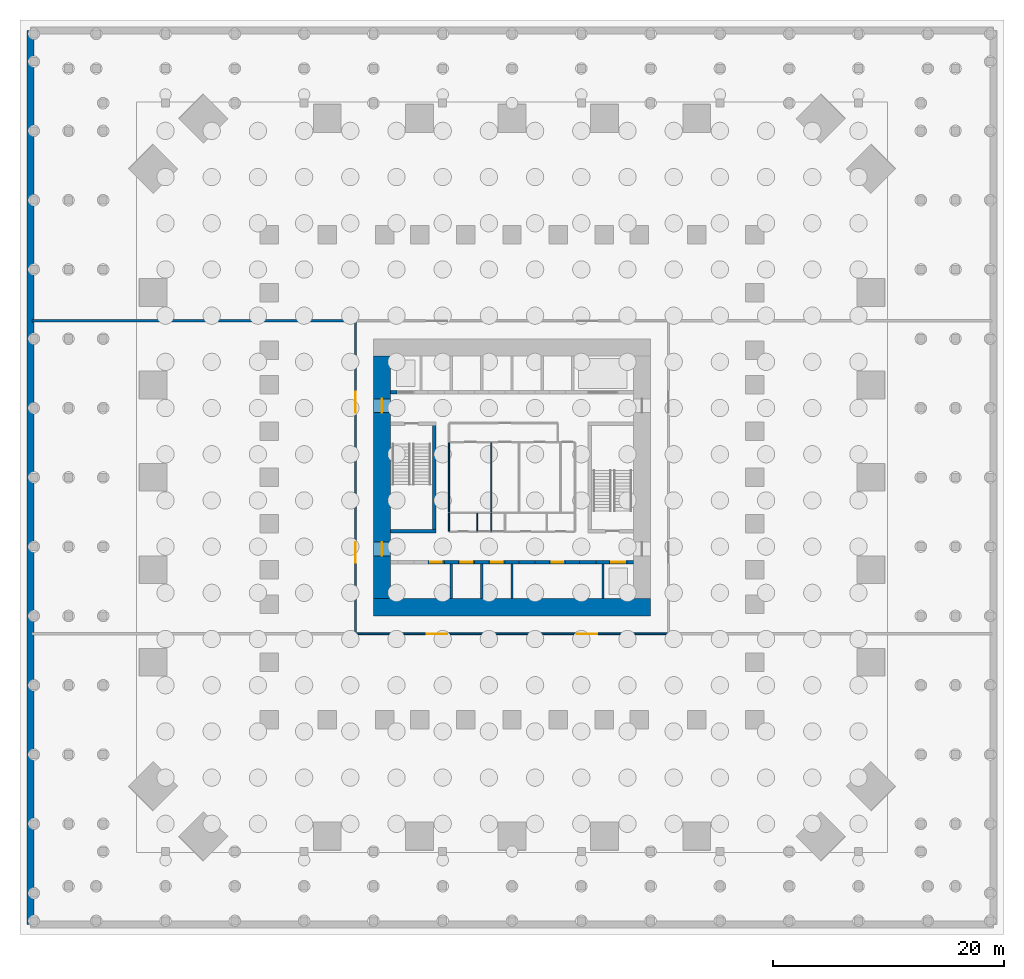
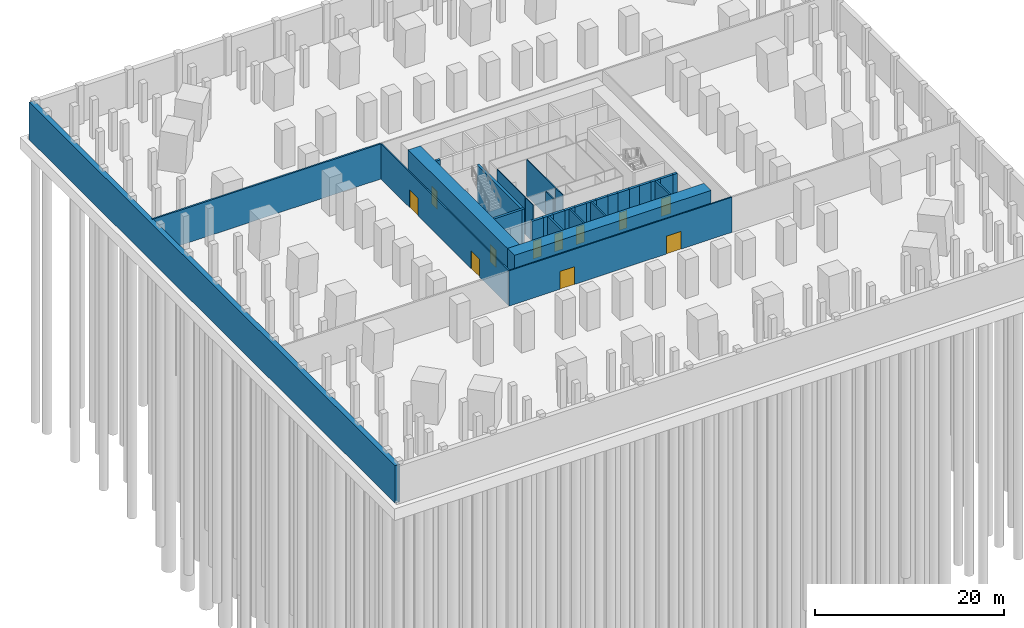
# One storey, part 4 of 8: 32 walls, 11 doors, 11 openings.
"""IFC4 building model written with IfcOpenShell, lengths in metres."""

from ifc_helpers import new_model, si_unit, direction, frame, frame_2d, origin, place, context, subcontext, project, spatial, rectangle, extrude, material, layer, layer_set, type_object, element, fill, save


model = new_model("IFC4")

# Units and contexts
model_context = context("Model", 3, precision=1e-05, world=origin(), true_north=direction((0.0, 1.0)))
body_context = subcontext(model_context, "Body", "Model", "MODEL_VIEW")
ifc_project = project(units=[si_unit("LENGTHUNIT", "METRE"), si_unit("AREAUNIT", "SQUARE_METRE"), si_unit("VOLUMEUNIT", "CUBIC_METRE"), si_unit("PLANEANGLEUNIT", "RADIAN"), si_unit("MASSUNIT", "GRAM", prefix="KILO")], contexts=[model_context])

# Site, building, storey
site_placement = place(None, origin())
site = spatial("IfcSite", under=ifc_project, at=site_placement, CompositionType="ELEMENT")
building_placement = place(site_placement, origin())
building = spatial("IfcBuilding", under=site, at=building_placement, Name="Peilmerk Tower", CompositionType="ELEMENT")
storey_placement = place(building_placement, frame((0.0, 0.0, -5.0)))
storey = spatial("IfcBuildingStorey", under=building, at=storey_placement, Name="B-01", CompositionType="ELEMENT", Elevation=-5.0)

# Wall, openings, doors
ifc_material_1 = material(Name="Calcium silicate block", Category="masonry")
ifc_layer_1 = layer(ifc_material_1, 0.14990234375)
ifc_layer_set_1 = layer_set([ifc_layer_1], Name="Calcium silicate block")
wall_type_1 = type_object("IfcWallType", Name="IW1 150 corridor partition, EI 60", PredefinedType="PARTITIONING", material=ifc_layer_set_1)
wall_1_placement = place(storey_placement, frame((13.625, -13.550048828125, 0.0), z_axis=(0.0, 0.0, 1.0), x_axis=(-1.0, 0.0, 0.0)))
wall_1 = element("IfcWall", 1, at=wall_1_placement, inside=storey, type_object=wall_type_1, Name="Corridor wall S B-01", PredefinedType="PARTITIONING", context=body_context, shape_type="SweptSolid", body=[
    extrude(rectangle(XDim=27.25, YDim=0.14990234375, at=frame_2d((13.625, 0.0))), origin(), (0.0, 0.0, 1.0), 4.550048828125),
])
opening_1_placement = place(wall_1_placement, frame((19.22509765625, 0.0, 0.0)))
opening_1 = element("IfcOpeningElement", 2, at=opening_1_placement, cuts=wall_1, Name="Opening D2", PredefinedType="OPENING", context=body_context, shape_type="SweptSolid", body=[
    extrude(rectangle(XDim=1.800048828125, YDim=2.300048828125, at=frame_2d((0.89990234375, 1.14990234375))), frame((0.0, 0.0849609375, 0.0), z_axis=(0.0, -1.0, 0.0), x_axis=(1.0, 0.0, 0.0)), (0.0, 0.0, 1.0), 0.169921875),
])
opening_2_placement = place(wall_1_placement, frame((6.22509765625, 0.0, 0.0)))
opening_2 = element("IfcOpeningElement", 3, at=opening_2_placement, cuts=wall_1, Name="Opening D2", PredefinedType="OPENING", context=body_context, shape_type="SweptSolid", body=[
    extrude(rectangle(XDim=1.800048828125, YDim=2.300048828125, at=frame_2d((0.89990234375, 1.14990234375))), frame((0.0, 0.0849609375, 0.0), z_axis=(0.0, -1.0, 0.0), x_axis=(1.0, 0.0, 0.0)), (0.0, 0.0, 1.0), 0.169921875),
])
ifc_material_2 = material(Name="Steel door in steel frame", Category="steel")
door_type_1 = type_object("IfcDoorType", Name="D2 1800x2300 double door, EI2 60", OperationType="DOUBLE_DOOR_DOUBLE_SWING", PredefinedType="DOOR", material=ifc_material_2)
door_1_placement = place(opening_1_placement, origin())
door_1 = element("IfcDoor", 4, at=door_1_placement, inside=storey, type_object=door_type_1, Name="Door Fuel tank room B-01", OperationType="DOUBLE_DOOR_DOUBLE_SWING", OverallHeight=2.300048828125, OverallWidth=1.800048828125, PredefinedType="DOOR", context=body_context, shape_type="SweptSolid", body=[
    extrude(rectangle(XDim=1.800048828125, YDim=2.300048828125, at=frame_2d((0.89990234375, 1.14990234375))), frame((0.0, 0.02490234375, 0.0), z_axis=(0.0, -1.0, 0.0), x_axis=(1.0, 0.0, 0.0)), (0.0, 0.0, 1.0), 0.050048828125),
])
fill(opening_1, door_1)
door_2_placement = place(opening_2_placement, origin())
door_2 = element("IfcDoor", 5, at=door_2_placement, inside=storey, type_object=door_type_1, Name="Door Fuel tank room B-01", OperationType="DOUBLE_DOOR_DOUBLE_SWING", OverallHeight=2.300048828125, OverallWidth=1.800048828125, PredefinedType="DOOR", context=body_context, shape_type="SweptSolid", body=[
    extrude(rectangle(XDim=1.800048828125, YDim=2.300048828125, at=frame_2d((0.89990234375, 1.14990234375))), frame((0.0, 0.02490234375, 0.0), z_axis=(0.0, -1.0, 0.0), x_axis=(1.0, 0.0, 0.0)), (0.0, 0.0, 1.0), 0.050048828125),
])
fill(opening_2, door_2)

wall_2_placement = place(storey_placement, frame((-13.550048828125, 13.47509765625, 0.0), z_axis=(0.0, 0.0, 1.0), x_axis=(0.0, -1.0, 0.0)))
wall_2 = element("IfcWall", 6, at=wall_2_placement, inside=storey, type_object=wall_type_1, Name="Corridor wall W B-01", PredefinedType="PARTITIONING", context=body_context, shape_type="SweptSolid", body=[
    extrude(rectangle(XDim=26.9501953125, YDim=0.14990234375, at=frame_2d((13.47509765625, 0.0))), origin(), (0.0, 0.0, 1.0), 4.550048828125),
])
opening_3_placement = place(wall_2_placement, frame((19.074951171875, 0.0, 0.0)))
opening_3 = element("IfcOpeningElement", 7, at=opening_3_placement, cuts=wall_2, Name="Opening D2", PredefinedType="OPENING", context=body_context, shape_type="SweptSolid", body=[
    extrude(rectangle(XDim=1.800048828125, YDim=2.300048828125, at=frame_2d((0.89990234375, 1.14990234375))), frame((0.0, 0.0849609375, 0.0), z_axis=(0.0, -1.0, 0.0), x_axis=(1.0, 0.0, 0.0)), (0.0, 0.0, 1.0), 0.169921875),
])
opening_4_placement = place(wall_2_placement, frame((6.074951171875, 0.0, 0.0)))
opening_4 = element("IfcOpeningElement", 8, at=opening_4_placement, cuts=wall_2, Name="Opening D2", PredefinedType="OPENING", context=body_context, shape_type="SweptSolid", body=[
    extrude(rectangle(XDim=1.800048828125, YDim=2.300048828125, at=frame_2d((0.89990234375, 1.14990234375))), frame((0.0, 0.0849609375, 0.0), z_axis=(0.0, -1.0, 0.0), x_axis=(1.0, 0.0, 0.0)), (0.0, 0.0, 1.0), 0.169921875),
])
door_3_placement = place(opening_3_placement, frame((1.800048828125, 0.0, 0.0), z_axis=(0.0, 0.0, 1.0), x_axis=(-1.0, 0.0, 0.0)))
door_3 = element("IfcDoor", 9, at=door_3_placement, inside=storey, type_object=door_type_1, Name="Door Sprinkler tank room B-01", OperationType="DOUBLE_DOOR_DOUBLE_SWING", OverallHeight=2.300048828125, OverallWidth=1.800048828125, PredefinedType="DOOR", context=body_context, shape_type="SweptSolid", body=[
    extrude(rectangle(XDim=1.800048828125, YDim=2.300048828125, at=frame_2d((0.89990234375, 1.14990234375))), frame((0.0, 0.02490234375, 0.0), z_axis=(0.0, -1.0, 0.0), x_axis=(1.0, 0.0, 0.0)), (0.0, 0.0, 1.0), 0.050048828125),
])
fill(opening_3, door_3)
door_4_placement = place(opening_4_placement, frame((1.800048828125, 0.0, 0.0), z_axis=(0.0, 0.0, 1.0), x_axis=(-1.0, 0.0, 0.0)))
door_4 = element("IfcDoor", 10, at=door_4_placement, inside=storey, type_object=door_type_1, Name="Door Sprinkler tank room B-01", OperationType="DOUBLE_DOOR_DOUBLE_SWING", OverallHeight=2.300048828125, OverallWidth=1.800048828125, PredefinedType="DOOR", context=body_context, shape_type="SweptSolid", body=[
    extrude(rectangle(XDim=1.800048828125, YDim=2.300048828125, at=frame_2d((0.89990234375, 1.14990234375))), frame((0.0, 0.02490234375, 0.0), z_axis=(0.0, -1.0, 0.0), x_axis=(1.0, 0.0, 0.0)), (0.0, 0.0, 1.0), 0.050048828125),
])
fill(opening_4, door_4)

# Walls
ifc_layer_2 = layer(ifc_material_1, 0.199951171875)
ifc_layer_set_2 = layer_set([ifc_layer_2], Name="Calcium silicate block")
wall_type_2 = type_object("IfcWallType", Name="IW2 200 room separating wall, EI 120", PredefinedType="PARTITIONING", material=ifc_layer_set_2)
wall_3_placement = place(storey_placement, frame((-41.550048828125, 13.550048828125, 0.0), z_axis=(0.0, 0.0, 1.0), x_axis=(1.0, 0.0, 0.0)))
element("IfcWall", 11, at=wall_3_placement, inside=storey, type_object=wall_type_2, Name="Room separating wall NW B-01", PredefinedType="PARTITIONING", context=body_context, shape_type="SweptSolid", body=[
    extrude(rectangle(XDim=27.925048828125, YDim=0.199951171875, at=frame_2d((13.96240234375, 0.0))), origin(), (0.0, 0.0, 1.0), 4.550048828125),
])
ifc_material_3 = material(Name="Concrete C35/45", Category="concrete")
ifc_layer_3 = layer(ifc_material_3, 0.300048828125)
ifc_layer_set_3 = layer_set([ifc_layer_3], Name="Concrete C35/45")
wall_type_3 = type_object("IfcWallType", Name="IW3 300 concrete stair enclosure wall, EI 120", PredefinedType="SOLIDWALL", material=ifc_layer_set_3)
wall_4_placement = place(storey_placement, frame((-6.75, -4.800048828125, 0.0), z_axis=(0.0, 0.0, 1.0), x_axis=(0.0, 1.0, 0.0)))
element("IfcWall", 12, at=wall_4_placement, inside=storey, type_object=wall_type_3, Name="Stair 1 enclosure B-01", PredefinedType="SOLIDWALL", context=body_context, shape_type="SweptSolid", body=[
    extrude(rectangle(XDim=9.60009765625, YDim=0.300048828125, at=frame_2d((4.800048828125, 0.0))), origin(), (0.0, 0.0, 1.0), 4.75),
])
wall_5_placement = place(storey_placement, frame((-6.60009765625, -4.64990234375, 0.0), z_axis=(0.0, 0.0, 1.0), x_axis=(-1.0, 0.0, 0.0)))
element("IfcWall", 13, at=wall_5_placement, inside=storey, type_object=wall_type_3, Name="Stair 1 enclosure B-01", PredefinedType="SOLIDWALL", context=body_context, shape_type="SweptSolid", body=[
    extrude(rectangle(XDim=3.89990234375, YDim=0.300048828125, at=frame_2d((1.949951171875, 0.0))), origin(), (0.0, 0.0, 1.0), 4.75),
])
ifc_material_4 = material(Name="Plasterboard on steel studs", Category="steel")
ifc_layer_4 = layer(ifc_material_4, 0.10009765625)
ifc_layer_set_4 = layer_set([ifc_layer_4], Name="Plasterboard on steel studs")
wall_type_4 = type_object("IfcWallType", Name="IW4 100 WC partition", PredefinedType="PARTITIONING", material=ifc_layer_set_4)
for number, where, z_axis, x_axis, name in (
    (14, (-5.449951171875, -3.0, 0.0), (0.0, 0.0, 1.0), (0.0, 1.0, 0.0), "WC wall B-01"),
    (15, (-1.800048828125, -3.0, 0.0), (0.0, 0.0, 1.0), (0.0, 1.0, 0.0), "WC wall B-01"),
):
    element("IfcWall", number, at=place(storey_placement, frame(where, z_axis=z_axis, x_axis=x_axis)), inside=storey, type_object=wall_type_4, Name=name, PredefinedType="PARTITIONING", context=body_context, shape_type="SweptSolid", body=[
        extrude(rectangle(XDim=6.0, YDim=0.10009765625, at=frame_2d((3.0, 0.0))), origin(), (0.0, 0.0, 1.0), 4.75),
    ])
ifc_material_5 = material(Name="Calcium silicate board on steel studs", Category="steel")
ifc_layer_5 = layer(ifc_material_5, 0.10009765625)
ifc_layer_set_5 = layer_set([ifc_layer_5], Name="Calcium silicate board on steel studs")
wall_type_5 = type_object("IfcWallType", Name="IW5 100 riser enclosure wall, EI 60", PredefinedType="PARTITIONING", material=ifc_layer_set_5)
for number, where, z_axis, x_axis, name in (
    (16, (-5.449951171875, -3.10009765625, 0.0), (0.0, 0.0, 1.0), (0.0, -1.0, 0.0), "Riser wall B-01"),
    (17, (-3.0, -3.10009765625, 0.0), (0.0, 0.0, 1.0), (0.0, -1.0, 0.0), "Riser wall B-01"),
    (18, (-1.800048828125, -3.10009765625, 0.0), (0.0, 0.0, 1.0), (0.0, -1.0, 0.0), "Riser wall B-01"),
):
    element("IfcWall", number, at=place(storey_placement, frame(where, z_axis=z_axis, x_axis=x_axis)), inside=storey, type_object=wall_type_5, Name=name, PredefinedType="PARTITIONING", context=body_context, shape_type="SweptSolid", body=[
        extrude(rectangle(XDim=1.5498046875, YDim=0.10009765625, at=frame_2d((0.77490234375, 0.0))), origin(), (0.0, 0.0, 1.0), 4.75),
    ])
ifc_material_6 = material(Name="Concrete C55/67", Category="concrete")
ifc_layer_6 = layer(ifc_material_6, 0.60009765625)
ifc_layer_set_6 = layer_set([ifc_layer_6], Name="Concrete C55/67")
wall_type_6 = type_object("IfcWallType", Name="RW1 600 basement retaining wall", PredefinedType="SOLIDWALL", material=ifc_layer_set_6)
wall_6_placement = place(storey_placement, frame((-41.699951171875, 38.699951171875, -0.300048828125), z_axis=(0.0, 0.0, 1.0), x_axis=(0.0, -1.0, 0.0)))
element("IfcWall", 19, at=wall_6_placement, inside=storey, type_object=wall_type_6, Name="Basement retaining wall 4", PredefinedType="SOLIDWALL", context=body_context, shape_type="SweptSolid", body=[
    extrude(rectangle(XDim=77.39990234375, YDim=0.60009765625, at=frame_2d((38.699951171875, 0.0))), origin(), (0.0, 0.0, 1.0), 4.85009765625),
])
ifc_layer_7 = layer(ifc_material_1, 0.199951171875)
ifc_layer_set_7 = layer_set([ifc_layer_7], Name="Calcium silicate block")
wall_type_7 = type_object("IfcWallType", Name="SH1 200 shaft dividing wall, EI 120", PredefinedType="PARTITIONING", material=ifc_layer_set_7)
for number, where, z_axis, x_axis, name in (
    (20, (-5.25, -10.5, -0.300048828125), (0.0, 0.0, 1.0), (0.0, 1.0, 0.0), "Shaft wall S C3 B-01"),
    (21, (-2.625, -10.5, -0.300048828125), (0.0, 0.0, 1.0), (0.0, 1.0, 0.0), "Shaft wall S C2 B-01"),
    (22, (0.0, -10.5, -0.300048828125), (0.0, 0.0, 1.0), (0.0, 1.0, 0.0), "Shaft wall S C1 B-01"),
    (23, (7.875, -10.5, -0.300048828125), (0.0, 0.0, 1.0), (0.0, 1.0, 0.0), "Shaft wall S B1 B-01"),
):
    element("IfcWall", number, at=place(storey_placement, frame(where, z_axis=z_axis, x_axis=x_axis)), inside=storey, type_object=wall_type_7, Name=name, PredefinedType="PARTITIONING", context=body_context, shape_type="SweptSolid", body=[
        extrude(rectangle(XDim=3.0, YDim=0.199951171875, at=frame_2d((1.5, 0.0))), origin(), (0.0, 0.0, 1.0), 5.300048828125),
    ])

# Wall, opening, door
ifc_layer_8 = layer(ifc_material_1, 0.300048828125)
ifc_layer_set_8 = layer_set([ifc_layer_8], Name="Calcium silicate block")
wall_type_8 = type_object("IfcWallType", Name="SH2 300 lift landing door panel, EI 120", PredefinedType="PARTITIONING", material=ifc_layer_set_8)
wall_7_placement = place(storey_placement, frame((-7.262451171875, -7.35009765625, -0.300048828125), z_axis=(0.0, 0.0, 1.0), x_axis=(1.0, 0.0, 0.0)))
wall_7 = element("IfcWall", 24, at=wall_7_placement, inside=storey, type_object=wall_type_8, Name="Lift door panel S C3 B-01", PredefinedType="PARTITIONING", context=body_context, shape_type="SweptSolid", body=[
    extrude(rectangle(XDim=1.39990234375, YDim=0.300048828125, at=frame_2d((0.699951171875, 0.0))), origin(), (0.0, 0.0, 1.0), 5.300048828125),
])
opening_5_placement = place(wall_7_placement, frame((0.199951171875, 0.0, 0.300048828125)))
opening_5 = element("IfcOpeningElement", 25, at=opening_5_placement, cuts=wall_7, Name="Opening D10", PredefinedType="OPENING", context=body_context, shape_type="SweptSolid", body=[
    extrude(rectangle(XDim=1.0, YDim=2.300048828125, at=frame_2d((0.5, 1.14990234375))), frame((0.0, 0.159912109375, 0.0), z_axis=(0.0, -1.0, 0.0), x_axis=(1.0, 0.0, 0.0)), (0.0, 0.0, 1.0), 0.320068359375),
])
door_type_2 = type_object("IfcDoorType", Name="D10 1000x2300 core room door, EI2 60", OperationType="SINGLE_SWING_RIGHT", PredefinedType="DOOR", material=ifc_material_2)
door_5_placement = place(opening_5_placement, frame((1.0, 0.0, 0.0), z_axis=(0.0, 0.0, 1.0), x_axis=(-1.0, 0.0, 0.0)))
door_5 = element("IfcDoor", 26, at=door_5_placement, inside=storey, type_object=door_type_2, Name="Door Water plant room B-01", OperationType="SINGLE_SWING_RIGHT", OverallHeight=2.300048828125, OverallWidth=1.0, PredefinedType="DOOR", context=body_context, shape_type="SweptSolid", body=[
    extrude(rectangle(XDim=1.0, YDim=2.300048828125, at=frame_2d((0.5, 1.14990234375))), frame((0.0, 0.02490234375, 0.0), z_axis=(0.0, -1.0, 0.0), x_axis=(1.0, 0.0, 0.0)), (0.0, 0.0, 1.0), 0.050048828125),
])
fill(opening_5, door_5)

wall_8_placement = place(storey_placement, frame((-4.637451171875, -7.35009765625, -0.300048828125), z_axis=(0.0, 0.0, 1.0), x_axis=(1.0, 0.0, 0.0)))
wall_8 = element("IfcWall", 27, at=wall_8_placement, inside=storey, type_object=wall_type_8, Name="Lift door panel S C2 B-01", PredefinedType="PARTITIONING", context=body_context, shape_type="SweptSolid", body=[
    extrude(rectangle(XDim=1.39990234375, YDim=0.300048828125, at=frame_2d((0.699951171875, 0.0))), origin(), (0.0, 0.0, 1.0), 5.300048828125),
])
opening_6_placement = place(wall_8_placement, frame((0.199951171875, 0.0, 0.300048828125)))
opening_6 = element("IfcOpeningElement", 28, at=opening_6_placement, cuts=wall_8, Name="Opening D10", PredefinedType="OPENING", context=body_context, shape_type="SweptSolid", body=[
    extrude(rectangle(XDim=1.0, YDim=2.300048828125, at=frame_2d((0.5, 1.14990234375))), frame((0.0, 0.159912109375, 0.0), z_axis=(0.0, -1.0, 0.0), x_axis=(1.0, 0.0, 0.0)), (0.0, 0.0, 1.0), 0.320068359375),
])
door_6_placement = place(opening_6_placement, frame((1.0, 0.0, 0.0), z_axis=(0.0, 0.0, 1.0), x_axis=(-1.0, 0.0, 0.0)))
door_6 = element("IfcDoor", 29, at=door_6_placement, inside=storey, type_object=door_type_2, Name="Door Comms plant room B-01", OperationType="SINGLE_SWING_RIGHT", OverallHeight=2.300048828125, OverallWidth=1.0, PredefinedType="DOOR", context=body_context, shape_type="SweptSolid", body=[
    extrude(rectangle(XDim=1.0, YDim=2.300048828125, at=frame_2d((0.5, 1.14990234375))), frame((0.0, 0.02490234375, 0.0), z_axis=(0.0, -1.0, 0.0), x_axis=(1.0, 0.0, 0.0)), (0.0, 0.0, 1.0), 0.050048828125),
])
fill(opening_6, door_6)

wall_9_placement = place(storey_placement, frame((-2.012451171875, -7.35009765625, -0.300048828125), z_axis=(0.0, 0.0, 1.0), x_axis=(1.0, 0.0, 0.0)))
wall_9 = element("IfcWall", 30, at=wall_9_placement, inside=storey, type_object=wall_type_8, Name="Lift door panel S C1 B-01", PredefinedType="PARTITIONING", context=body_context, shape_type="SweptSolid", body=[
    extrude(rectangle(XDim=1.39990234375, YDim=0.300048828125, at=frame_2d((0.699951171875, 0.0))), origin(), (0.0, 0.0, 1.0), 5.300048828125),
])
opening_7_placement = place(wall_9_placement, frame((0.199951171875, 0.0, 0.300048828125)))
opening_7 = element("IfcOpeningElement", 31, at=opening_7_placement, cuts=wall_9, Name="Opening D10", PredefinedType="OPENING", context=body_context, shape_type="SweptSolid", body=[
    extrude(rectangle(XDim=1.0, YDim=2.300048828125, at=frame_2d((0.5, 1.14990234375))), frame((0.0, 0.159912109375, 0.0), z_axis=(0.0, -1.0, 0.0), x_axis=(1.0, 0.0, 0.0)), (0.0, 0.0, 1.0), 0.320068359375),
])
door_7_placement = place(opening_7_placement, frame((1.0, 0.0, 0.0), z_axis=(0.0, 0.0, 1.0), x_axis=(-1.0, 0.0, 0.0)))
door_7 = element("IfcDoor", 32, at=door_7_placement, inside=storey, type_object=door_type_2, Name="Door Sprinkler valve plant room B-01", OperationType="SINGLE_SWING_RIGHT", OverallHeight=2.300048828125, OverallWidth=1.0, PredefinedType="DOOR", context=body_context, shape_type="SweptSolid", body=[
    extrude(rectangle(XDim=1.0, YDim=2.300048828125, at=frame_2d((0.5, 1.14990234375))), frame((0.0, 0.02490234375, 0.0), z_axis=(0.0, -1.0, 0.0), x_axis=(1.0, 0.0, 0.0)), (0.0, 0.0, 1.0), 0.050048828125),
])
fill(opening_7, door_7)

# Wall
wall_10_placement = place(storey_placement, frame((0.612548828125, -7.35009765625, -0.300048828125), z_axis=(0.0, 0.0, 1.0), x_axis=(1.0, 0.0, 0.0)))
element("IfcWall", 33, at=wall_10_placement, inside=storey, type_object=wall_type_8, Name="Lift door panel S B3 B-01", PredefinedType="PARTITIONING", context=body_context, shape_type="SweptSolid", body=[
    extrude(rectangle(XDim=1.39990234375, YDim=0.300048828125, at=frame_2d((0.699951171875, 0.0))), origin(), (0.0, 0.0, 1.0), 5.300048828125),
])

# Wall, opening, door
wall_11_placement = place(storey_placement, frame((3.237548828125, -7.35009765625, -0.300048828125), z_axis=(0.0, 0.0, 1.0), x_axis=(1.0, 0.0, 0.0)))
wall_11 = element("IfcWall", 34, at=wall_11_placement, inside=storey, type_object=wall_type_8, Name="Lift door panel S B2 B-01", PredefinedType="PARTITIONING", context=body_context, shape_type="SweptSolid", body=[
    extrude(rectangle(XDim=1.39990234375, YDim=0.300048828125, at=frame_2d((0.699951171875, 0.0))), origin(), (0.0, 0.0, 1.0), 5.300048828125),
])
opening_8_placement = place(wall_11_placement, frame((0.199951171875, 0.0, 0.300048828125)))
opening_8 = element("IfcOpeningElement", 35, at=opening_8_placement, cuts=wall_11, Name="Opening D10", PredefinedType="OPENING", context=body_context, shape_type="SweptSolid", body=[
    extrude(rectangle(XDim=1.0, YDim=2.300048828125, at=frame_2d((0.5, 1.14990234375))), frame((0.0, 0.159912109375, 0.0), z_axis=(0.0, -1.0, 0.0), x_axis=(1.0, 0.0, 0.0)), (0.0, 0.0, 1.0), 0.320068359375),
])
door_8_placement = place(opening_8_placement, frame((1.0, 0.0, 0.0), z_axis=(0.0, 0.0, 1.0), x_axis=(-1.0, 0.0, 0.0)))
door_8 = element("IfcDoor", 36, at=door_8_placement, inside=storey, type_object=door_type_2, Name="Door Ventilation plant room B-01", OperationType="SINGLE_SWING_RIGHT", OverallHeight=2.300048828125, OverallWidth=1.0, PredefinedType="DOOR", context=body_context, shape_type="SweptSolid", body=[
    extrude(rectangle(XDim=1.0, YDim=2.300048828125, at=frame_2d((0.5, 1.14990234375))), frame((0.0, 0.02490234375, 0.0), z_axis=(0.0, -1.0, 0.0), x_axis=(1.0, 0.0, 0.0)), (0.0, 0.0, 1.0), 0.050048828125),
])
fill(opening_8, door_8)

# Wall
wall_12_placement = place(storey_placement, frame((5.862548828125, -7.35009765625, -0.300048828125), z_axis=(0.0, 0.0, 1.0), x_axis=(1.0, 0.0, 0.0)))
element("IfcWall", 37, at=wall_12_placement, inside=storey, type_object=wall_type_8, Name="Lift door panel S B1 B-01", PredefinedType="PARTITIONING", context=body_context, shape_type="SweptSolid", body=[
    extrude(rectangle(XDim=1.39990234375, YDim=0.300048828125, at=frame_2d((0.699951171875, 0.0))), origin(), (0.0, 0.0, 1.0), 5.300048828125),
])

# Wall, opening, door
wall_13_placement = place(storey_placement, frame((8.4375, -7.35009765625, -0.300048828125), z_axis=(0.0, 0.0, 1.0), x_axis=(1.0, 0.0, 0.0)))
wall_13 = element("IfcWall", 38, at=wall_13_placement, inside=storey, type_object=wall_type_8, Name="Lift door panel S FL2 B-01", PredefinedType="PARTITIONING", context=body_context, shape_type="SweptSolid", body=[
    extrude(rectangle(XDim=1.5, YDim=0.300048828125, at=frame_2d((0.75, 0.0))), origin(), (0.0, 0.0, 1.0), 5.300048828125),
])
opening_9_placement = place(wall_13_placement, frame((0.14990234375, 0.0, 0.300048828125)))
opening_9 = element("IfcOpeningElement", 39, at=opening_9_placement, cuts=wall_13, Name="Opening LD2", PredefinedType="OPENING", context=body_context, shape_type="SweptSolid", body=[
    extrude(rectangle(XDim=1.199951171875, YDim=2.300048828125, at=frame_2d((0.60009765625, 1.14990234375))), frame((0.0, 0.159912109375, 0.0), z_axis=(0.0, -1.0, 0.0), x_axis=(1.0, 0.0, 0.0)), (0.0, 0.0, 1.0), 0.320068359375),
])
ifc_material_7 = material(Name="Stainless steel landing door", Category="steel")
door_type_3 = type_object("IfcDoorType", Name="LD2 1200x2300 lift landing door, sliding, EI2 60", OperationType="SLIDING_TO_LEFT", PredefinedType="DOOR", material=ifc_material_7)
door_9_placement = place(opening_9_placement, origin())
door_9 = element("IfcDoor", 40, at=door_9_placement, inside=storey, type_object=door_type_3, Name="Lift landing door FL2 B-01", OperationType="SLIDING_TO_LEFT", OverallHeight=2.300048828125, OverallWidth=1.199951171875, PredefinedType="DOOR", context=body_context, shape_type="SweptSolid", body=[
    extrude(rectangle(XDim=1.199951171875, YDim=2.300048828125, at=frame_2d((0.60009765625, 1.14990234375))), frame((0.0, 0.02490234375, 0.0), z_axis=(0.0, -1.0, 0.0), x_axis=(1.0, 0.0, 0.0)), (0.0, 0.0, 1.0), 0.050048828125),
])
fill(opening_9, door_9)

# Wall
ifc_layer_9 = layer(ifc_material_6, 1.5)
ifc_layer_set_9 = layer_set([ifc_layer_9], Name="Concrete C55/67")
wall_type_9 = type_object("IfcWallType", Name="SW1 1500 core wall", PredefinedType="SHEAR", material=ifc_layer_set_9)
wall_14_placement = place(storey_placement, frame((12.0, -11.25, -0.300048828125), z_axis=(0.0, 0.0, 1.0), x_axis=(-1.0, 0.0, 0.0)))
element("IfcWall", 41, at=wall_14_placement, inside=storey, type_object=wall_type_9, Name="Core wall S B-01", PredefinedType="SHEAR", context=body_context, shape_type="SweptSolid", body=[
    extrude(rectangle(XDim=24.0, YDim=1.5, at=frame_2d((12.0, 0.0))), origin(), (0.0, 0.0, 1.0), 5.300048828125),
])

# Wall, openings, doors
wall_15_placement = place(storey_placement, frame((-11.25, -10.5, -0.300048828125), z_axis=(0.0, 0.0, 1.0), x_axis=(0.0, 1.0, 0.0)))
wall_15 = element("IfcWall", 42, at=wall_15_placement, inside=storey, type_object=wall_type_9, Name="Core wall W B-01", PredefinedType="SHEAR", context=body_context, shape_type="SweptSolid", body=[
    extrude(rectangle(XDim=21.0, YDim=1.5, at=frame_2d((10.5, 0.0))), origin(), (0.0, 0.0, 1.0), 5.300048828125),
])
opening_10_placement = place(wall_15_placement, frame((16.10009765625, 0.0, 0.300048828125)))
opening_10 = element("IfcOpeningElement", 43, at=opening_10_placement, cuts=wall_15, Name="Opening D3", PredefinedType="OPENING", context=body_context, shape_type="SweptSolid", body=[
    extrude(rectangle(XDim=1.199951171875, YDim=2.300048828125, at=frame_2d((0.60009765625, 1.14990234375))), frame((0.0, 0.760009765625, 0.0), z_axis=(0.0, -1.0, 0.0), x_axis=(1.0, 0.0, 0.0)), (0.0, 0.0, 1.0), 1.52001953125),
])
opening_11_placement = place(wall_15_placement, frame((3.699951171875, 0.0, 0.300048828125)))
opening_11 = element("IfcOpeningElement", 44, at=opening_11_placement, cuts=wall_15, Name="Opening D3", PredefinedType="OPENING", context=body_context, shape_type="SweptSolid", body=[
    extrude(rectangle(XDim=1.199951171875, YDim=2.300048828125, at=frame_2d((0.60009765625, 1.14990234375))), frame((0.0, 0.760009765625, 0.0), z_axis=(0.0, -1.0, 0.0), x_axis=(1.0, 0.0, 0.0)), (0.0, 0.0, 1.0), 1.52001953125),
])
door_type_4 = type_object("IfcDoorType", Name="D3 1200x2300 core door, EI2 60", OperationType="SINGLE_SWING_LEFT", PredefinedType="DOOR", material=ifc_material_2)
door_10_placement = place(opening_10_placement, frame((1.199951171875, 0.0, 0.0), z_axis=(0.0, 0.0, 1.0), x_axis=(-1.0, 0.0, 0.0)))
door_10 = element("IfcDoor", 45, at=door_10_placement, inside=storey, type_object=door_type_4, Name="Core door B-01", OperationType="SINGLE_SWING_LEFT", OverallHeight=2.300048828125, OverallWidth=1.199951171875, PredefinedType="DOOR", context=body_context, shape_type="SweptSolid", body=[
    extrude(rectangle(XDim=1.199951171875, YDim=2.300048828125, at=frame_2d((0.60009765625, 1.14990234375))), frame((0.0, 0.02490234375, 0.0), z_axis=(0.0, -1.0, 0.0), x_axis=(1.0, 0.0, 0.0)), (0.0, 0.0, 1.0), 0.050048828125),
])
fill(opening_10, door_10)
door_11_placement = place(opening_11_placement, frame((1.199951171875, 0.0, 0.0), z_axis=(0.0, 0.0, 1.0), x_axis=(-1.0, 0.0, 0.0)))
door_11 = element("IfcDoor", 46, at=door_11_placement, inside=storey, type_object=door_type_4, Name="Core door B-01", OperationType="SINGLE_SWING_LEFT", OverallHeight=2.300048828125, OverallWidth=1.199951171875, PredefinedType="DOOR", context=body_context, shape_type="SweptSolid", body=[
    extrude(rectangle(XDim=1.199951171875, YDim=2.300048828125, at=frame_2d((0.60009765625, 1.14990234375))), frame((0.0, 0.02490234375, 0.0), z_axis=(0.0, -1.0, 0.0), x_axis=(1.0, 0.0, 0.0)), (0.0, 0.0, 1.0), 0.050048828125),
])
fill(opening_11, door_11)

# Walls
ifc_layer_10 = layer(ifc_material_6, 0.300048828125)
ifc_layer_set_10 = layer_set([ifc_layer_10], Name="Concrete C55/67")
wall_type_10 = type_object("IfcWallType", Name="SW2 300 lift bank pier", PredefinedType="SHEAR", material=ifc_layer_set_10)
wall_16_placement = place(storey_placement, frame((-10.5, 7.35009765625, -0.300048828125), z_axis=(0.0, 0.0, 1.0), x_axis=(1.0, 0.0, 0.0)))
element("IfcWall", 47, at=wall_16_placement, inside=storey, type_object=wall_type_10, Name="Lift bank pier N B-01", PredefinedType="SHEAR", context=body_context, shape_type="SweptSolid", body=[
    extrude(rectangle(XDim=0.5625, YDim=0.300048828125, at=frame_2d((0.28125, 0.0))), origin(), (0.0, 0.0, 1.0), 5.300048828125),
])
for number, where, z_axis, x_axis, name in (
    (48, (-5.862548828125, -7.35009765625, -0.300048828125), (0.0, 0.0, 1.0), (1.0, 0.0, 0.0), "Lift bank pier S B-01"),
    (49, (-3.237548828125, -7.35009765625, -0.300048828125), (0.0, 0.0, 1.0), (1.0, 0.0, 0.0), "Lift bank pier S B-01"),
    (50, (-0.612548828125, -7.35009765625, -0.300048828125), (0.0, 0.0, 1.0), (1.0, 0.0, 0.0), "Lift bank pier S B-01"),
    (51, (2.012451171875, -7.35009765625, -0.300048828125), (0.0, 0.0, 1.0), (1.0, 0.0, 0.0), "Lift bank pier S B-01"),
    (52, (4.637451171875, -7.35009765625, -0.300048828125), (0.0, 0.0, 1.0), (1.0, 0.0, 0.0), "Lift bank pier S B-01"),
):
    element("IfcWall", number, at=place(storey_placement, frame(where, z_axis=z_axis, x_axis=x_axis)), inside=storey, type_object=wall_type_10, Name=name, PredefinedType="SHEAR", context=body_context, shape_type="SweptSolid", body=[
        extrude(rectangle(XDim=1.22509765625, YDim=0.300048828125, at=frame_2d((0.612548828125, 0.0))), origin(), (0.0, 0.0, 1.0), 5.300048828125),
    ])
wall_17_placement = place(storey_placement, frame((7.262451171875, -7.35009765625, -0.300048828125), z_axis=(0.0, 0.0, 1.0), x_axis=(1.0, 0.0, 0.0)))
element("IfcWall", 53, at=wall_17_placement, inside=storey, type_object=wall_type_10, Name="Lift bank pier S B-01", PredefinedType="SHEAR", context=body_context, shape_type="SweptSolid", body=[
    extrude(rectangle(XDim=1.175048828125, YDim=0.300048828125, at=frame_2d((0.58740234375, 0.0))), origin(), (0.0, 0.0, 1.0), 5.300048828125),
])
wall_18_placement = place(storey_placement, frame((9.9375, -7.35009765625, -0.300048828125), z_axis=(0.0, 0.0, 1.0), x_axis=(1.0, 0.0, 0.0)))
element("IfcWall", 54, at=wall_18_placement, inside=storey, type_object=wall_type_10, Name="Lift bank pier S B-01", PredefinedType="SHEAR", context=body_context, shape_type="SweptSolid", body=[
    extrude(rectangle(XDim=0.5625, YDim=0.300048828125, at=frame_2d((0.28125, 0.0))), origin(), (0.0, 0.0, 1.0), 5.300048828125),
])

save(model, "model.ifc")
